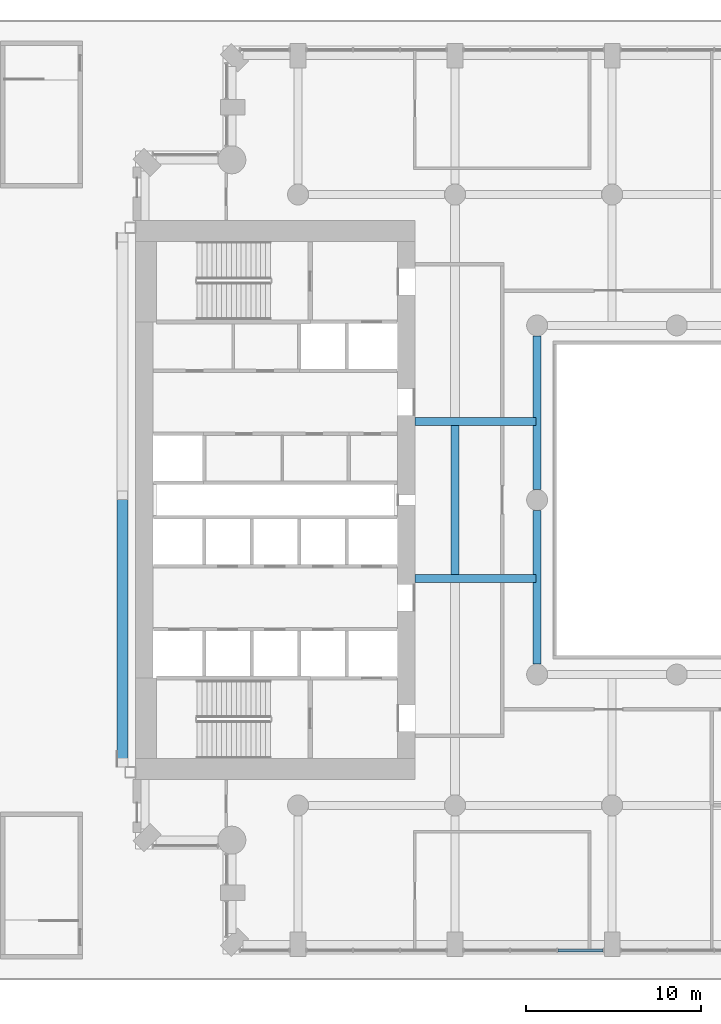
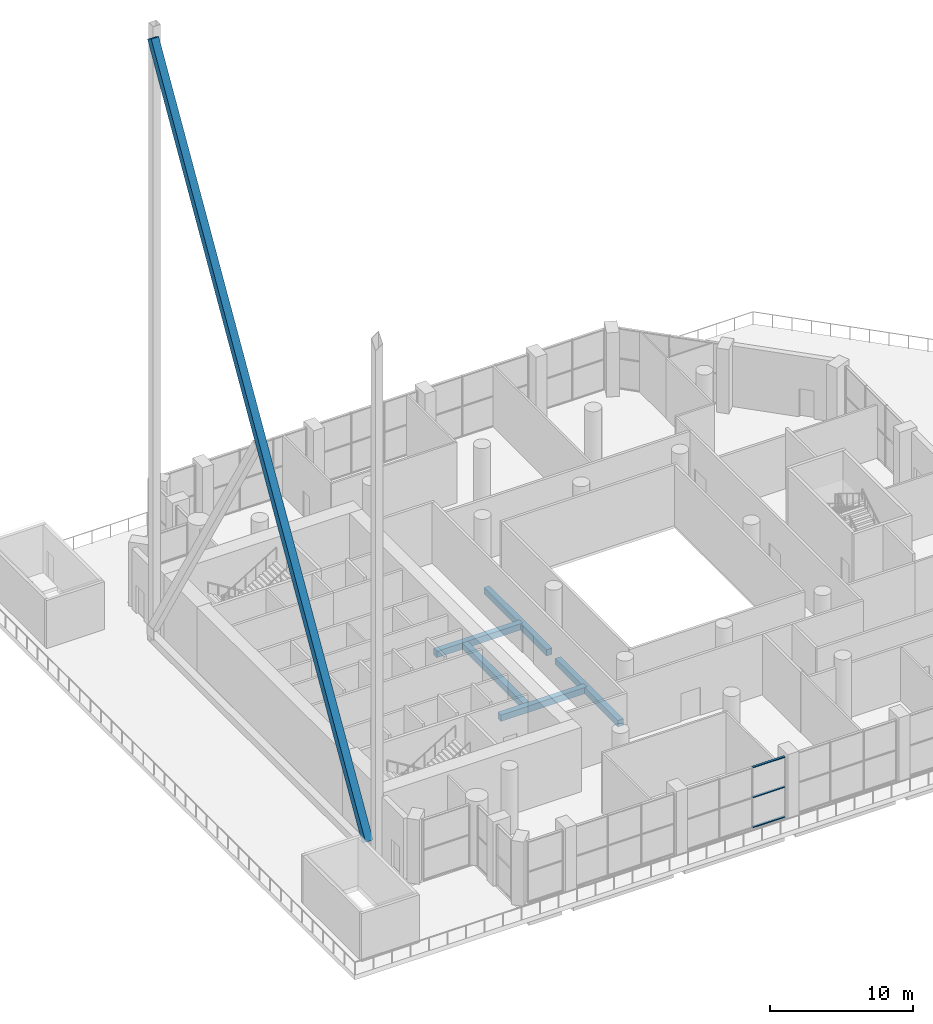
# One storey, part 5 of 26: 5 beams, 4 members, 1 element without a shape of its own.
"""IFC4 building model written with IfcOpenShell, lengths in metres."""

from ifc_helpers import new_model, si_unit, direction, frame, origin, origin_2d, place, context, subcontext, project, spatial, rectangle, hollow_rectangle, extrude, material, material_profile, profile_set, type_object, element, aggregate, save


model = new_model("IFC4")

# Units and contexts
model_context = context("Model", 3, precision=1e-05, world=origin(), true_north=direction((0.0, 1.0)))
body_context = subcontext(model_context, "Body", "Model", "MODEL_VIEW")
ifc_project = project(units=[si_unit("LENGTHUNIT", "METRE"), si_unit("AREAUNIT", "SQUARE_METRE"), si_unit("VOLUMEUNIT", "CUBIC_METRE"), si_unit("PLANEANGLEUNIT", "RADIAN"), si_unit("MASSUNIT", "GRAM", prefix="KILO")], contexts=[model_context])

# Site, building, storey
site_placement = place(None, origin())
site = spatial("IfcSite", under=ifc_project, at=site_placement, CompositionType="ELEMENT")
building_placement = place(site_placement, origin())
building = spatial("IfcBuilding", under=site, at=building_placement, Name="Cypress Arch Tower", CompositionType="ELEMENT")
storey_placement = place(building_placement, frame((0.0, 0.0, 50.0)))
storey = spatial("IfcBuildingStorey", under=building, at=storey_placement, Name="L06", CompositionType="ELEMENT", Elevation=50.0)

# Beams
ifc_material_1 = material(Name="Concrete C50/60", Category="concrete")
ifc_material_profile_1 = material_profile(ifc_material_1, rectangle(XDim=0.449951171875, YDim=0.550048828125, at=origin_2d()), Name="RC 450x550")
ifc_profile_set_1 = profile_set([ifc_material_profile_1], Name="Concrete C50/60")
beam_type = type_object("IfcBeamType", Name="Floor beam RC 450x550 Concrete C50/60", PredefinedType="BEAM", material=ifc_profile_set_1)
for number, where, z_axis, x_axis, name in (
    (1, (-7.0, -9.39990234375, -0.574951171875), (0.0, 1.0, 0.0), (-1.0, 0.0, 0.0), "Floor beam L06 RB001"),
    (2, (-7.0, 0.60009765625, -0.574951171875), (0.0, 1.0, 0.0), (-1.0, 0.0, 0.0), "Floor beam L06 RB002"),
):
    element("IfcBeam", number, at=place(storey_placement, frame(where, z_axis=z_axis, x_axis=x_axis)), inside=storey, type_object=beam_type, Name=name, PredefinedType="BEAM", context=body_context, shape_type="SweptSolid", body=[
        extrude(rectangle(XDim=0.449951171875, YDim=0.550048828125, at=origin_2d()), origin(), (0.0, 0.0, 1.0), 8.7998046875),
    ])
for number, where, z_axis, x_axis, name in (
    (3, (-14.0, -4.5, -0.574951171875), (1.0, 0.0, 0.0), (0.0, 1.0, 0.0), "Floor beam L06 FB013"),
    (4, (-14.0, 4.5, -0.574951171875), (1.0, 0.0, 0.0), (0.0, 1.0, 0.0), "Floor beam L06 FB014"),
):
    element("IfcBeam", number, at=place(storey_placement, frame(where, z_axis=z_axis, x_axis=x_axis)), inside=storey, type_object=beam_type, Name=name, PredefinedType="BEAM", context=body_context, shape_type="SweptSolid", body=[
        extrude(rectangle(XDim=0.449951171875, YDim=0.550048828125, at=origin_2d()), origin(), (0.0, 0.0, 1.0), 6.949951171875),
    ])
beam_placement = place(storey_placement, frame((-11.699951171875, -4.27490234375, -0.574951171875), z_axis=(0.0, 1.0, 0.0), x_axis=(-1.0, 0.0, 0.0)))
element("IfcBeam", 5, at=beam_placement, inside=storey, type_object=beam_type, Name="Floor beam L06 FB023", PredefinedType="BEAM", context=body_context, shape_type="SweptSolid", body=[
    extrude(rectangle(XDim=0.449951171875, YDim=0.550048828125, at=origin_2d()), origin(), (0.0, 0.0, 1.0), 8.5498046875),
])

# Curtain wall, members
ifc_material_2 = material(Name="Anodised aluminium, bronze finish, solar control laminated double glazing", Category="aluminium")
curtain_wall_type = type_object("IfcCurtainWallType", Name="Curtain wall CW3 sky lobby glazing", PredefinedType="NOTDEFINED", material=ifc_material_2)
curtain_wall_placement = place(storey_placement, origin())
curtain_wall = element("IfcCurtainWall", 6, at=curtain_wall_placement, inside=storey, type_object=curtain_wall_type, Name="Curtain wall L06 A03.2.1", PredefinedType="NOTDEFINED")
ifc_material_3 = material(Name="Anodised aluminium, bronze finish", Category="aluminium")
ifc_material_profile_2 = material_profile(ifc_material_3, rectangle(XDim=0.179931640625, YDim=0.074951171875, at=origin_2d()), Name="Transom 75x180")
ifc_profile_set_2 = profile_set([ifc_material_profile_2], Name="Anodised aluminium, bronze finish")
member_type_1 = type_object("IfcMemberType", Name="Transom CW3 75x180", PredefinedType="USERDEFINED", material=ifc_profile_set_2)
member_1_placement = place(storey_placement, frame((-5.8125, -25.800048828125, 0.03759765625), z_axis=(1.0, 0.0, 0.0), x_axis=(0.0, 1.0, 0.0)))
member_1 = element("IfcMember", 7, at=member_1_placement, type_object=member_type_1, Name="CW3 transom 3.1", ObjectType="TRANSOM", PredefinedType="USERDEFINED", context=body_context, shape_type="SweptSolid", body=[
    extrude(rectangle(XDim=0.179931640625, YDim=0.074951171875, at=origin_2d()), origin(), (0.0, 0.0, 1.0), 2.58740234375),
])
member_2_placement = place(storey_placement, frame((-5.8125, -25.800048828125, 2.60009765625), z_axis=(1.0, 0.0, 0.0), x_axis=(0.0, 1.0, 0.0)))
member_2 = element("IfcMember", 8, at=member_2_placement, type_object=member_type_1, Name="CW3 transom 3.2", ObjectType="TRANSOM", PredefinedType="USERDEFINED", context=body_context, shape_type="SweptSolid", body=[
    extrude(rectangle(XDim=0.179931640625, YDim=0.074951171875, at=origin_2d()), origin(), (0.0, 0.0, 1.0), 2.58740234375),
])
member_3_placement = place(storey_placement, frame((-5.8125, -25.800048828125, 5.16259765625), z_axis=(1.0, 0.0, 0.0), x_axis=(0.0, 1.0, 0.0)))
member_3 = element("IfcMember", 9, at=member_3_placement, type_object=member_type_1, Name="CW3 transom 3.3", ObjectType="TRANSOM", PredefinedType="USERDEFINED", context=body_context, shape_type="SweptSolid", body=[
    extrude(rectangle(XDim=0.179931640625, YDim=0.074951171875, at=origin_2d()), origin(), (0.0, 0.0, 1.0), 2.58740234375),
])
aggregate(curtain_wall, [member_1, member_2, member_3])

# Member
ifc_material_4 = material(Name="Steel ASTM A501 Grade B", Category="steel")
ifc_material_profile_3 = material_profile(ifc_material_4, hollow_rectangle(XDim=0.609619140625, YDim=0.609619140625, WallThickness=0.023681640625, at=origin_2d()), Name="HSS 24x24x1")
ifc_profile_set_3 = profile_set([ifc_material_profile_3], Name="Steel ASTM A501 Grade B")
member_type_2 = type_object("IfcMemberType", Name="West bracing diagonal HSS 24x24x1 Steel ASTM A501 Grade B", PredefinedType="BRACE", material=ifc_profile_set_3)
member_4_placement = place(storey_placement, frame((-30.7548828125, -15.03369140625, 1.048583984375), z_axis=(0.0, 0.511525992027, 0.859267804285), x_axis=(-1.0, 0.0, 0.0)))
element("IfcMember", 10, at=member_4_placement, inside=storey, type_object=member_type_2, Name="West bracing diagonal 1A", PredefinedType="BRACE", context=body_context, shape_type="SweptSolid", body=[
    extrude(hollow_rectangle(XDim=0.609619140625, YDim=0.609619140625, WallThickness=0.023681640625, at=origin_2d()), origin(), (0.0, 0.0, 1.0), 58.77978515625),
])

save(model, "model.ifc")
